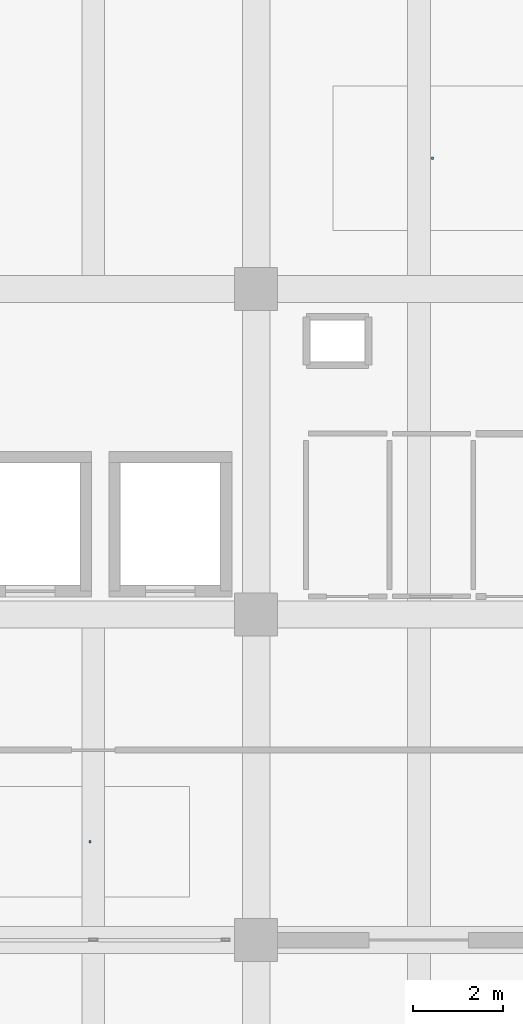
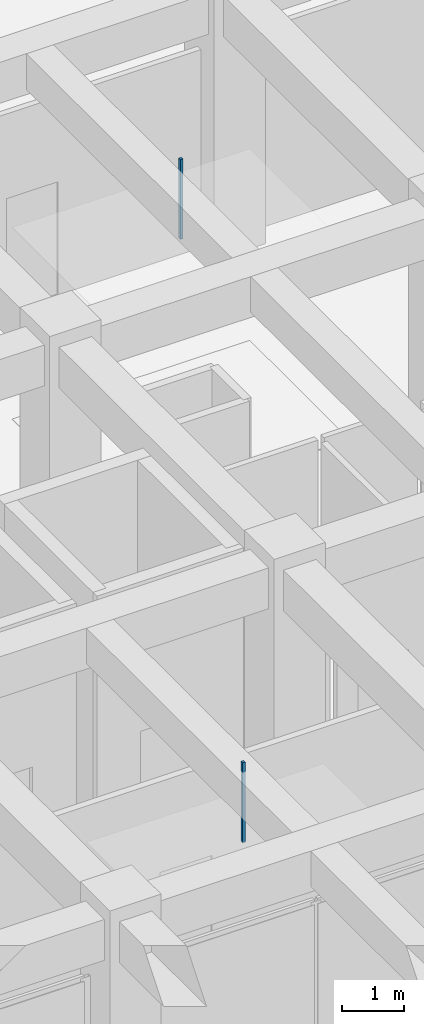
# One storey, part 39 of 56: 2 discrete accessories.
"""IFC4 building model written with IfcOpenShell, lengths in metres."""

import ifcopenshell
import ifcopenshell.guid

model = None  # the IFC model being written
_history = None  # IfcOwnerHistory: only IFC2X3 demands one
_inside = {}  # id of a spatial element -> (the spatial element, [elements in it])
_under = {}  # id of a project, library or spatial element -> (it, [spatial elements below it])
_declared = {}  # id of a project -> (the project, [libraries it declares])
_typed = {}  # id of a type object -> (the type object, [elements of that type])
_made_of = {}  # id of a material, layer set ... -> (it, [elements and type objects made of it])


def new_model(schema):
    """Start an empty IFC model of exactly this schema.

    Asked for "IFC4X3", IfcOpenShell would pick the latest addendum, in which some entities
    have other attributes; the version numbers below select the first issue.
    IFC2X3 requires an IfcOwnerHistory on every rooted entity: one is made here for all.
    """
    global model, _history
    if schema == "IFC4X3":
        model = ifcopenshell.file(schema_version=(4, 3, 0, 0))
    else:
        model = ifcopenshell.file(schema=schema)
    _inside.clear()
    _under.clear()
    _declared.clear()
    _typed.clear()
    _made_of.clear()
    _history = None
    if model.schema == "IFC2X3":
        org = make("IfcOrganization", Name="unknown")
        user = make(
            "IfcPersonAndOrganization",
            ThePerson=make("IfcPerson", FamilyName="unknown"),
            TheOrganization=org,
        )
        app = make(
            "IfcApplication",
            ApplicationDeveloper=org,
            Version="unknown",
            ApplicationFullName="unknown",
            ApplicationIdentifier="unknown",
        )
        _history = make(
            "IfcOwnerHistory",
            OwningUser=user,
            OwningApplication=app,
            ChangeAction="ADDED",
            CreationDate=0,
        )
    return model


def make(cls, **values):
    """One entity of the class cls with the attributes given. An attribute that is None is left unset."""
    return model.create_entity(
        cls, **{name: value for name, value in values.items() if value is not None}
    )


def rooted(cls, **values):
    """An entity with a GlobalId (a new one), such as an element, a storey or a relation."""
    return make(cls, GlobalId=ifcopenshell.guid.new(), OwnerHistory=_history, **values)


def si_unit(unit_type, name, prefix=None):
    """IfcSIUnit, for example si_unit("LENGTHUNIT", "METRE", prefix="MILLI")."""
    return make("IfcSIUnit", UnitType=unit_type, Prefix=prefix, Name=name)


def assignment(units):
    """IfcUnitAssignment: the units of a project."""
    return None if units is None else make("IfcUnitAssignment", Units=units)


def point(xyz):
    """IfcCartesianPoint."""
    return None if xyz is None else make("IfcCartesianPoint", Coordinates=xyz)


def direction(xyz):
    """IfcDirection."""
    return None if xyz is None else make("IfcDirection", DirectionRatios=xyz)


def frame(location, z_axis=None, x_axis=None):
    """IfcAxis2Placement3D, a coordinate frame: its origin and axes. An axis left out is left unset."""
    return make(
        "IfcAxis2Placement3D",
        Location=point(location),
        Axis=direction(z_axis),
        RefDirection=direction(x_axis),
    )


def frame_2d(location, x_axis=None):
    """IfcAxis2Placement2D, a coordinate frame in the plane: its origin and x axis."""
    return make(
        "IfcAxis2Placement2D", Location=point(location), RefDirection=direction(x_axis)
    )


def origin():
    """The frame at (0, 0, 0) with its axes left unset."""
    return frame((0.0, 0.0, 0.0))


def origin_2d():
    """The frame at (0, 0) in the plane with its x axis left unset."""
    return frame_2d((0.0, 0.0))


def place(relative_to, where):
    """IfcLocalPlacement: puts the frame where relative to a parent placement (None: the world)."""
    return make(
        "IfcLocalPlacement", PlacementRelTo=relative_to, RelativePlacement=where
    )


def context(
    kind, dimensions, precision=None, world=None, true_north=None, identifier=None
):
    """IfcGeometricRepresentationContext, for example the 3D "Model" context."""
    return make(
        "IfcGeometricRepresentationContext",
        ContextIdentifier=identifier,
        ContextType=kind,
        CoordinateSpaceDimension=dimensions,
        Precision=precision,
        WorldCoordinateSystem=world,
        TrueNorth=true_north,
    )


def subcontext(parent, identifier, kind, view, scale=None):
    """IfcGeometricRepresentationSubContext, for example "Body" below "Model"."""
    return make(
        "IfcGeometricRepresentationSubContext",
        ContextIdentifier=identifier,
        ContextType=kind,
        ParentContext=parent,
        TargetScale=scale,
        TargetView=view,
    )


def project(units=None, contexts=None):
    """IfcProject with its units and contexts."""
    return rooted(
        "IfcProject",
        Name="project",
        RepresentationContexts=contexts,
        UnitsInContext=assignment(units),
    )


def spatial(cls, under=None, at=None, **own):
    """A site, building, storey or space (cls), placed at a placement, below another one or the project."""
    s = rooted(cls, ObjectPlacement=at, **own)
    if under is not None:
        _under.setdefault(under.id(), (under, []))[1].append(s)
    return s


def profile(cls, at=None, kind="AREA", **sizes):
    """A parametric profile (cls). Its sizes go by their IFC names, for example OverallWidth=200.0."""
    return make(cls, ProfileType=kind, Position=at, **sizes)


def rectangle(**sizes):
    """IfcRectangleProfileDef."""
    return profile("IfcRectangleProfileDef", **sizes)


def extrude(swept, where, along, depth):
    """IfcExtrudedAreaSolid: the profile swept, set in the frame where, extruded along a direction by depth."""
    return make(
        "IfcExtrudedAreaSolid",
        SweptArea=swept,
        Position=where,
        ExtrudedDirection=direction(along),
        Depth=depth,
    )


def shape(context_of_items, identifier, shape_type, items):
    """IfcShapeRepresentation: the items that make up one representation, for example the "Body"."""
    return make(
        "IfcShapeRepresentation",
        ContextOfItems=context_of_items,
        RepresentationIdentifier=identifier,
        RepresentationType=shape_type,
        Items=items,
    )


def material(Name=None, Category=None):
    """IfcMaterial."""
    return make("IfcMaterial", Name=Name, Category=Category)


def made_of(thing, what):
    """Note that an element or type object is made of a material, layer set ...; save() writes the relation."""
    if what is not None:
        _made_of.setdefault(what.id(), (what, []))[1].append(thing)
    return thing


def type_object(cls, material=None, **own):
    """A type object (cls), such as IfcWallType, which elements share."""
    return made_of(rooted(cls, **own), material)


def element(
    cls,
    number,
    at=None,
    inside=None,
    cuts=None,
    type_object=None,
    material=None,
    context=None,
    identifier="Body",
    shape_type=None,
    held_by="IfcProductDefinitionShape",
    body=None,
    shapes=None,
    **own,
):
    """One element of the class cls, such as IfcWall. Its Tag is "e" and its number.

    at: its placement. inside: the storey or other place that contains it. cuts: it is an
    opening in that element (IfcRelVoidsElement). A single representation is given by context,
    identifier, shape_type and body (its items); several are given by shapes. held_by: the class
    of the entity that holds the representations. save() writes the other relations.
    """
    e = rooted(cls, Tag="e%d" % number, ObjectPlacement=at, **own)
    if body is not None:
        shapes = [shape(context, identifier, shape_type, body)]
    if shapes is not None:
        e.Representation = make(held_by, Representations=shapes)
    if inside is not None:
        _inside.setdefault(inside.id(), (inside, []))[1].append(e)
    if cuts is not None:
        rooted(
            "IfcRelVoidsElement", RelatingBuildingElement=cuts, RelatedOpeningElement=e
        )
    if type_object is not None:
        _typed.setdefault(type_object.id(), (type_object, []))[1].append(e)
    return made_of(e, material)


def aggregate(whole, parts):
    """IfcRelAggregates: a whole, such as a stair, and the parts it consists of."""
    return rooted("IfcRelAggregates", RelatingObject=whole, RelatedObjects=parts)


def save(model, path):
    """Write the relations noted so far, then the file.

    IfcRelAggregates (storeys below a building ...), IfcRelContainedInSpatialStructure (elements
    in a storey), IfcRelDefinesByType, IfcRelAssociatesMaterial and IfcRelDeclares: one each for
    every whole, place, type object, material and project.
    """
    for whole, parts in _under.values():
        aggregate(whole, parts)
    for where, things in _inside.values():
        rooted(
            "IfcRelContainedInSpatialStructure",
            RelatedElements=things,
            RelatingStructure=where,
        )
    for kind, things in _typed.values():
        rooted("IfcRelDefinesByType", RelatedObjects=things, RelatingType=kind)
    for what, things in _made_of.values():
        rooted("IfcRelAssociatesMaterial", RelatedObjects=things, RelatingMaterial=what)
    for by, libraries in _declared.values():
        rooted("IfcRelDeclares", RelatingContext=by, RelatedDefinitions=libraries)
    model.write(path)


model = new_model("IFC4")

# Units and contexts
model_context = context("Model", 3, precision=1e-05, world=origin(), true_north=direction((0.0, 1.0)))
body_context = subcontext(model_context, "Body", "Model", "MODEL_VIEW")
ifc_project = project(units=[si_unit("LENGTHUNIT", "METRE"), si_unit("AREAUNIT", "SQUARE_METRE"), si_unit("VOLUMEUNIT", "CUBIC_METRE"), si_unit("PLANEANGLEUNIT", "RADIAN"), si_unit("MASSUNIT", "GRAM", prefix="KILO")], contexts=[model_context])

# Site, building, storey
site_placement = place(None, origin())
site = spatial("IfcSite", under=ifc_project, at=site_placement, CompositionType="ELEMENT")
building_placement = place(site_placement, origin())
building = spatial("IfcBuilding", under=site, at=building_placement, Name="Kazehaya Institute of Natural Sciences", CompositionType="ELEMENT")
storey_placement = place(building_placement, origin())
storey = spatial("IfcBuildingStorey", under=building, at=storey_placement, Name="L00", CompositionType="ELEMENT", Elevation=0.0)

# Discrete accessories
ifc_material = material(Name="Structural steel SN490B", Category="steel")
discrete_accessory_type = type_object("IfcDiscreteAccessoryType", Name="ACC-CLG-HGR", PredefinedType="BRACKET", material=ifc_material)
for number, where, z_axis, x_axis, name in (
    (1, (79.72509765625, 16.175048828125, 3.75244140625), (0.0, 0.0, 1.0), (1.0, 0.0, 0.0), "L00 ceiling suspension hanger 5"),
    (2, (87.296875, 31.29052734375, 3.75244140625), (0.0, 0.0, 1.0), (1.0, 0.0, 0.0), "L00 ceiling suspension hanger 6"),
):
    element("IfcDiscreteAccessory", number, at=place(storey_placement, frame(where, z_axis=z_axis, x_axis=x_axis)), inside=storey, type_object=discrete_accessory_type, Name=name, PredefinedType="BRACKET", context=body_context, shape_type="SweptSolid", body=[
        extrude(rectangle(XDim=0.050048828125, YDim=0.050048828125, at=origin_2d()), origin(), (0.0, 0.0, 1.0), 1.5673828125),
    ])

save(model, "model.ifc")
